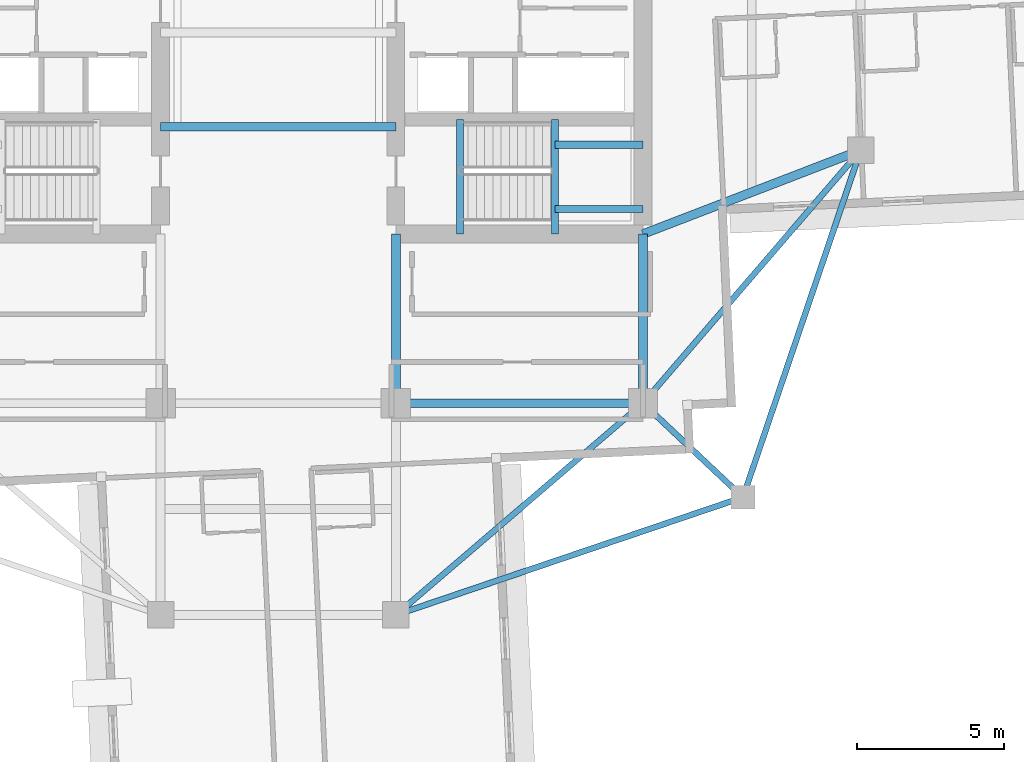
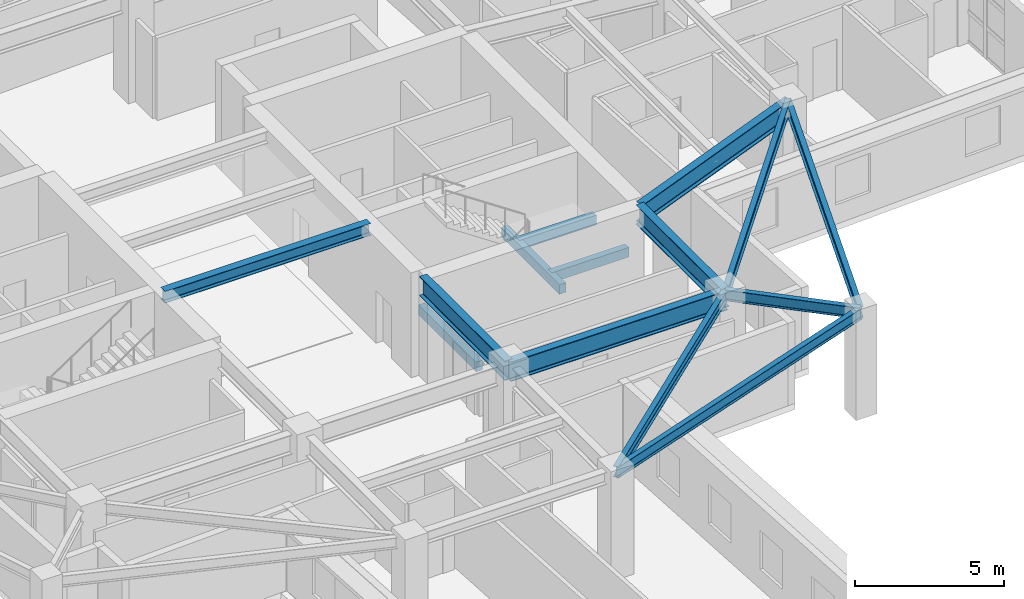
# One storey, part 5 of 22: 14 beams.
"""IFC4 building model written with IfcOpenShell, lengths in metres."""

from ifc_helpers import new_model, si_unit, direction, frame, origin, origin_2d, place, context, subcontext, project, spatial, rectangle, i_section, extrude, material, material_profile, profile_set, type_object, element, save


model = new_model("IFC4")

# Units and contexts
model_context = context("Model", 3, precision=1e-05, world=origin(), true_north=direction((0.0, 1.0)))
body_context = subcontext(model_context, "Body", "Model", "MODEL_VIEW")
ifc_project = project(units=[si_unit("LENGTHUNIT", "METRE"), si_unit("AREAUNIT", "SQUARE_METRE"), si_unit("VOLUMEUNIT", "CUBIC_METRE"), si_unit("PLANEANGLEUNIT", "RADIAN"), si_unit("MASSUNIT", "GRAM", prefix="KILO")], contexts=[model_context])

# Site, building, storey
site_placement = place(None, origin())
site = spatial("IfcSite", under=ifc_project, at=site_placement, CompositionType="ELEMENT")
building_placement = place(site_placement, origin())
building = spatial("IfcBuilding", under=site, at=building_placement, Name="Qingluan Cross Belvedere", CompositionType="ELEMENT")
storey_placement = place(building_placement, frame((0.0, 0.0, 196.800048828125)))
storey = spatial("IfcBuildingStorey", under=building, at=storey_placement, Name="L49", CompositionType="ELEMENT", Elevation=196.800048828125)

# Beams
ifc_material_1 = material(Name="Concrete C45", Category="concrete")
ifc_material_profile_1 = material_profile(ifc_material_1, rectangle(XDim=0.25, YDim=0.39990234375, at=origin_2d()), Name="RC250x400")
ifc_profile_set_1 = profile_set([ifc_material_profile_1], Name="Concrete C45")
beam_type_1 = type_object("IfcBeamType", Name="RC_Lintel_RC250x400", PredefinedType="LINTEL", material=ifc_profile_set_1)
for number, where, z_axis, x_axis, name in (
    (1, (6.179931640625, -6.85009765625, -0.199951171875), (0.0, 1.0, 0.0), (-1.0, 0.0, 0.0), "Stair ST2 landing beam L49"),
    (2, (9.409912109375, -6.85009765625, 1.849853515625), (0.0, 1.0, 0.0), (-1.0, 0.0, 0.0), "Stair ST2 beam A L49"),
):
    element("IfcBeam", number, at=place(storey_placement, frame(where, z_axis=z_axis, x_axis=x_axis)), inside=storey, type_object=beam_type_1, Name=name, PredefinedType="LINTEL", context=body_context, shape_type="SweptSolid", body=[
        extrude(rectangle(XDim=0.25, YDim=0.39990234375, at=origin_2d()), origin(), (0.0, 0.0, 1.0), 3.89013671875),
    ])
for number, where, z_axis, x_axis, name in (
    (3, (12.39990234375, -6.0, 1.849853515625), (-1.0, 0.0, 0.0), (0.0, -1.0, 0.0), "Stair ST2 beam B L49"),
    (4, (12.39990234375, -3.81005859375, 1.849853515625), (-1.0, 0.0, 0.0), (0.0, -1.0, 0.0), "Stair ST2 beam C L49"),
):
    element("IfcBeam", number, at=place(storey_placement, frame(where, z_axis=z_axis, x_axis=x_axis)), inside=storey, type_object=beam_type_1, Name=name, PredefinedType="LINTEL", context=body_context, shape_type="SweptSolid", body=[
        extrude(rectangle(XDim=0.25, YDim=0.39990234375, at=origin_2d()), origin(), (0.0, 0.0, 1.0), 2.989990234375),
    ])
ifc_material_2 = material(Name="Steel Q420GJB", Category="steel")
ifc_material_profile_2 = material_profile(ifc_material_2, i_section(OverallWidth=0.300048828125, OverallDepth=0.488037109375, WebThickness=0.010986328125, FlangeThickness=0.01806640625, FilletRadius=0.02197265625, at=origin_2d()), Name="HM488x300x11x18")
ifc_profile_set_2 = profile_set([ifc_material_profile_2], Name="Steel Q420GJB")
beam_type_2 = type_object("IfcBeamType", Name="Steel_Beam_HM488x300x11x18", PredefinedType="BEAM", material=ifc_profile_set_2)
beam_1_placement = place(storey_placement, frame((-4.0, -3.199951171875, 4.055908203125), z_axis=(1.0, 0.0, 0.0), x_axis=(0.0, 1.0, 0.0)))
element("IfcBeam", 5, at=beam_1_placement, inside=storey, type_object=beam_type_2, Name="Hall beam L49-CH1", PredefinedType="BEAM", context=body_context, shape_type="SweptSolid", body=[
    extrude(i_section(OverallWidth=0.300048828125, OverallDepth=0.488037109375, WebThickness=0.010986328125, FlangeThickness=0.01806640625, FilletRadius=0.02197265625, at=origin_2d()), origin(), (0.0, 0.0, 1.0), 8.0),
])
ifc_material_3 = material(Name="Steel Q420GJB", Category="steel")
ifc_material_profile_3 = material_profile(ifc_material_3, i_section(OverallWidth=0.199951171875, OverallDepth=0.449951171875, WebThickness=0.009033203125, FlangeThickness=0.013916015625, FilletRadius=0.01611328125, at=origin_2d()), Name="HN450x200x9x14")
ifc_profile_set_3 = profile_set([ifc_material_profile_3], Name="Steel Q420GJB")
beam_type_3 = type_object("IfcBeamType", Name="Steel_Beam_HN450x200x9x14", PredefinedType="JOIST", material=ifc_profile_set_3)
beam_2_placement = place(storey_placement, frame((12.39990234375, -12.60009765625, 4.074951171875), z_axis=(0.728219948308, -0.685343495546, 0.0), x_axis=(0.685343495546, 0.728219948308, 0.0)))
element("IfcBeam", 6, at=beam_2_placement, inside=storey, type_object=beam_type_3, Name="Corner beam 1 L49-RSE", PredefinedType="JOIST", context=body_context, shape_type="SweptSolid", body=[
    extrude(i_section(OverallWidth=0.199951171875, OverallDepth=0.449951171875, WebThickness=0.009033203125, FlangeThickness=0.013916015625, FilletRadius=0.01611328125, at=origin_2d()), origin(), (0.0, 0.0, 1.0), 4.669189453125),
])
for number, where, z_axis, x_axis, name in (
    (7, (15.800048828125, -15.800048828125, 4.074951171875), (-0.947066283324, -0.321038089628, 0.0), (0.321038089628, -0.947066283324, 0.0), "Corner beam 2 L49-RSE"),
    (8, (15.800048828125, -15.800048828125, 4.074951171875), (0.321038089628, 0.947066283324, 0.0), (-0.947066283324, 0.321038089628, 0.0), "Corner beam 3 L49-RSE"),
):
    element("IfcBeam", number, at=place(storey_placement, frame(where, z_axis=z_axis, x_axis=x_axis)), inside=storey, type_object=beam_type_3, Name=name, PredefinedType="JOIST", context=body_context, shape_type="SweptSolid", body=[
        extrude(i_section(OverallWidth=0.199951171875, OverallDepth=0.449951171875, WebThickness=0.009033203125, FlangeThickness=0.013916015625, FilletRadius=0.01611328125, at=origin_2d()), origin(), (0.0, 0.0, 1.0), 12.45947265625),
    ])
beam_3_placement = place(storey_placement, frame((12.39990234375, -12.60009765625, 4.074951171875), z_axis=(0.652245077546, 0.75800815221, 0.0), x_axis=(-0.75800815221, 0.652245077546, 0.0)))
element("IfcBeam", 9, at=beam_3_placement, inside=storey, type_object=beam_type_3, Name="Corner beam 4 L49-RSE", PredefinedType="JOIST", context=body_context, shape_type="SweptSolid", body=[
    extrude(i_section(OverallWidth=0.199951171875, OverallDepth=0.449951171875, WebThickness=0.009033203125, FlangeThickness=0.013916015625, FilletRadius=0.01611328125, at=origin_2d()), origin(), (0.0, 0.0, 1.0), 11.345703125),
])
beam_4_placement = place(storey_placement, frame((12.39990234375, -12.60009765625, 4.074951171875), z_axis=(-0.759255044656, -0.650793190779, 0.0), x_axis=(0.650793190779, -0.759255044656, 0.0)))
element("IfcBeam", 10, at=beam_4_placement, inside=storey, type_object=beam_type_3, Name="Corner beam 5 L49-RSE", PredefinedType="JOIST", context=body_context, shape_type="SweptSolid", body=[
    extrude(i_section(OverallWidth=0.199951171875, OverallDepth=0.449951171875, WebThickness=0.009033203125, FlangeThickness=0.013916015625, FilletRadius=0.01611328125, at=origin_2d()), origin(), (0.0, 0.0, 1.0), 11.063232421875),
])
ifc_material_4 = material(Name="Steel Q420GJB", Category="steel")
ifc_material_profile_4 = material_profile(ifc_material_4, i_section(OverallWidth=0.300048828125, OverallDepth=0.800048828125, WebThickness=0.015380859375, FlangeThickness=0.028076171875, FilletRadius=0.030029296875, at=origin_2d()), Name="HEB800")
ifc_profile_set_4 = profile_set([ifc_material_profile_4], Name="Steel Q420GJB")
beam_type_4 = type_object("IfcBeamType", Name="Steel_Girder_HEB800", PredefinedType="USERDEFINED", material=ifc_profile_set_4)
beam_5_placement = place(storey_placement, frame((4.0, -12.60009765625, 3.89990234375), z_axis=(1.0, 0.0, 0.0), x_axis=(0.0, 1.0, 0.0)))
element("IfcBeam", 11, at=beam_5_placement, inside=storey, type_object=beam_type_4, Name="Hub girder L49-HG-S3", ObjectType="GIRDER", PredefinedType="USERDEFINED", context=body_context, shape_type="SweptSolid", body=[
    extrude(i_section(OverallWidth=0.300048828125, OverallDepth=0.800048828125, WebThickness=0.015380859375, FlangeThickness=0.028076171875, FilletRadius=0.030029296875, at=origin_2d()), origin(), (0.0, 0.0, 1.0), 8.39990234375),
])
for number, where, z_axis, x_axis, name in (
    (12, (12.39990234375, -12.60009765625, 3.89990234375), (0.0, 1.0, 0.0), (-1.0, 0.0, 0.0), "Hub girder L49-HG-E1"),
    (13, (4.0, -12.60009765625, 3.89990234375), (0.0, 1.0, 0.0), (-1.0, 0.0, 0.0), "Hub girder L49-HG-CE"),
):
    element("IfcBeam", number, at=place(storey_placement, frame(where, z_axis=z_axis, x_axis=x_axis)), inside=storey, type_object=beam_type_4, Name=name, ObjectType="GIRDER", PredefinedType="USERDEFINED", context=body_context, shape_type="SweptSolid", body=[
        extrude(i_section(OverallWidth=0.300048828125, OverallDepth=0.800048828125, WebThickness=0.015380859375, FlangeThickness=0.028076171875, FilletRadius=0.030029296875, at=origin_2d()), origin(), (0.0, 0.0, 1.0), 5.75),
    ])
beam_6_placement = place(storey_placement, frame((12.39990234375, -6.85009765625, 3.89990234375), z_axis=(0.933181258889, 0.359406090735, 0.0), x_axis=(-0.359406090735, 0.933181258889, 0.0)))
element("IfcBeam", 14, at=beam_6_placement, inside=storey, type_object=beam_type_4, Name="Arm E radial girder A L49", ObjectType="GIRDER", PredefinedType="USERDEFINED", context=body_context, shape_type="SweptSolid", body=[
    extrude(i_section(OverallWidth=0.300048828125, OverallDepth=0.800048828125, WebThickness=0.015380859375, FlangeThickness=0.028076171875, FilletRadius=0.030029296875, at=origin_2d()), origin(), (0.0, 0.0, 1.0), 7.929931640625),
])

save(model, "model.ifc")
